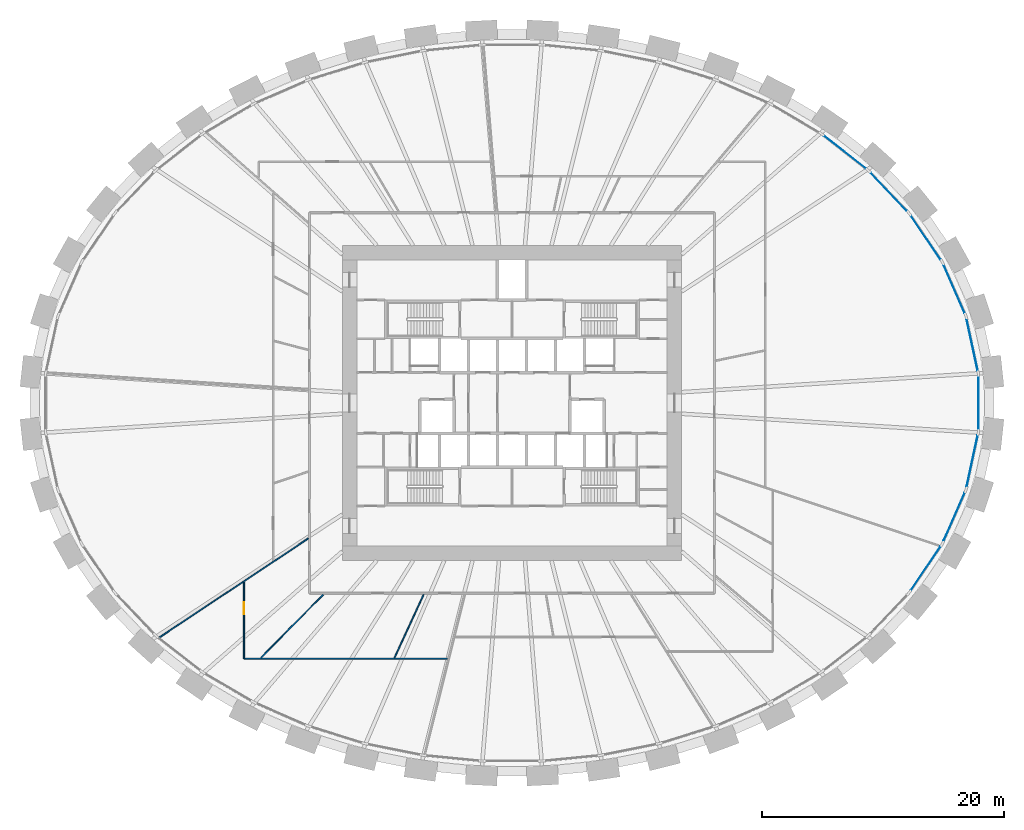
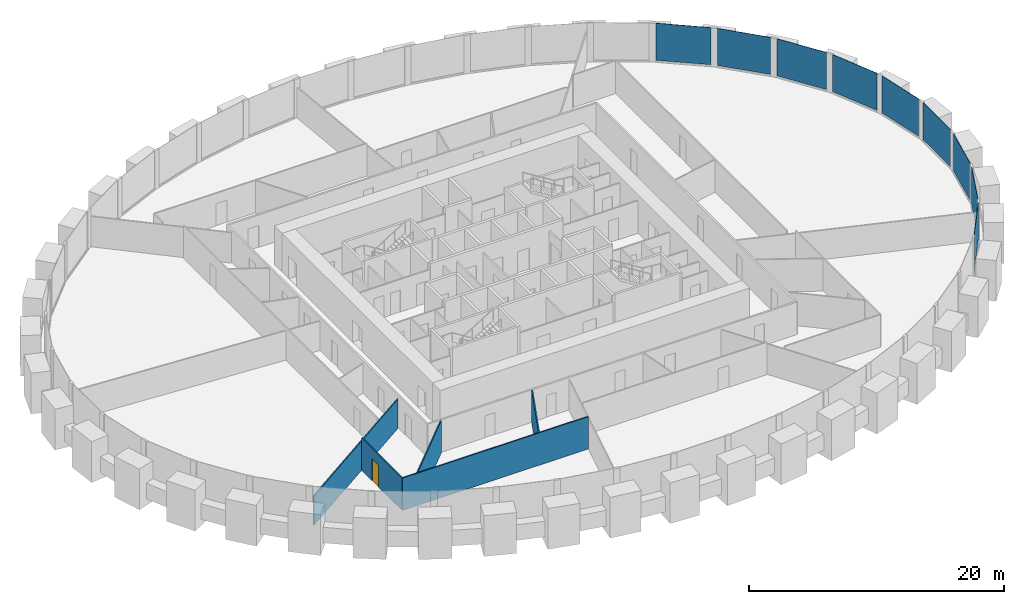
# One storey, part 5 of 11: 9 plates, 5 walls, 1 door, 1 opening, 1 element without a shape of its own.
"""IFC4 building model written with IfcOpenShell, lengths in metres."""

from ifc_helpers import new_model, si_unit, direction, frame, frame_2d, origin, origin_2d, place, context, subcontext, project, spatial, rectangle, extrude, source, transform, mapped, material, layer, layer_set, type_object, element, fill, aggregate, save


model = new_model("IFC4")

# Units and contexts
model_context = context("Model", 3, precision=1e-05, world=origin(), true_north=direction((0.0, 1.0)))
body_context = subcontext(model_context, "Body", "Model", "MODEL_VIEW")
ifc_project = project(units=[si_unit("LENGTHUNIT", "METRE"), si_unit("AREAUNIT", "SQUARE_METRE"), si_unit("VOLUMEUNIT", "CUBIC_METRE"), si_unit("PLANEANGLEUNIT", "RADIAN"), si_unit("MASSUNIT", "GRAM", prefix="KILO")], contexts=[model_context])

# Site, building, storey
site_placement = place(None, origin())
site = spatial("IfcSite", under=ifc_project, at=site_placement, CompositionType="ELEMENT")
building_placement = place(site_placement, origin())
building = spatial("IfcBuilding", under=site, at=building_placement, Name="Embergate Tower", CompositionType="ELEMENT")
storey_placement = place(building_placement, frame((0.0, 0.0, 41.89990234375)))
storey = spatial("IfcBuildingStorey", under=building, at=storey_placement, Name="L06", CompositionType="ELEMENT", Elevation=41.89990234375)

# Curtain wall, plates
ifc_material_1 = material(Name="Aluminium and glass", Category="aluminium")
curtain_wall_type = type_object("IfcCurtainWallType", Name="Recessed office glazing", PredefinedType="NOTDEFINED", material=ifc_material_1)
curtain_wall_placement = place(storey_placement, origin())
curtain_wall = element("IfcCurtainWall", 1, at=curtain_wall_placement, inside=storey, type_object=curtain_wall_type, Name="Recessed office glazing ring", ObjectType="RECESSED OFFICE GLAZING", PredefinedType="USERDEFINED")
ifc_material_2 = material(Name="Triple glazing, low-emissivity coating", Category="glass")
ifc_layer_1 = layer(ifc_material_2, 0.035888671875)
ifc_layer_set_1 = layer_set([ifc_layer_1], Name="Triple glazing, low-emissivity coating")
plate_type = type_object("IfcPlateType", Name="Office glazing unit", PredefinedType="CURTAIN_PANEL", material=ifc_layer_set_1)
shared_shape_1 = source(origin(), body_context, "Body", "SweptSolid", [
    extrude(rectangle(XDim=4.336181640625, YDim=0.035888671875, at=origin_2d()), origin(), (0.0, 0.0, 1.0), 3.550048828125),
])
plate_1_placement = place(storey_placement, frame((37.958984375, 4.800537109375, 0.14990234375), z_axis=(0.0, 0.0, 1.0), x_axis=(-0.210398391177, 0.97761573074, 0.0)))
plate_1 = element("IfcPlate", 2, at=plate_1_placement, type_object=plate_type, Name="CW panel 1.1", PredefinedType="CURTAIN_PANEL", context=body_context, shape_type="MappedRepresentation", body=[
    mapped(shared_shape_1, transform((0.0, 0.0, 0.0))),
])
plate_2_placement = place(storey_placement, frame((37.958984375, -4.800537109375, 0.14990234375), z_axis=(0.0, 0.0, 1.0), x_axis=(0.210398391177, 0.97761573074, 0.0)))
plate_2 = element("IfcPlate", 3, at=plate_2_placement, type_object=plate_type, Name="CW panel 43.1", PredefinedType="CURTAIN_PANEL", context=body_context, shape_type="MappedRepresentation", body=[
    mapped(shared_shape_1, transform((0.0, 0.0, 0.0))),
])
shared_shape_2 = source(origin(), body_context, "Body", "SweptSolid", [
    extrude(rectangle(XDim=4.34326171875, YDim=0.035888671875, at=origin_2d()), origin(), (0.0, 0.0, 1.0), 3.550048828125),
])
plate_3_placement = place(storey_placement, frame((36.471435546875, 9.401123046875, 0.14990234375), z_axis=(0.0, 0.0, 1.0), x_axis=(-0.401653699516, 0.915791627864, 0.0)))
plate_3 = element("IfcPlate", 4, at=plate_3_placement, type_object=plate_type, Name="CW panel 2.1", PredefinedType="CURTAIN_PANEL", context=body_context, shape_type="MappedRepresentation", body=[
    mapped(shared_shape_2, transform((0.0, 0.0, 0.0))),
])
plate_4_placement = place(storey_placement, frame((36.471435546875, -9.401123046875, 0.14990234375), z_axis=(0.0, 0.0, 1.0), x_axis=(0.401653699516, 0.915791627864, 0.0)))
plate_4 = element("IfcPlate", 5, at=plate_4_placement, type_object=plate_type, Name="CW panel 42.1", PredefinedType="CURTAIN_PANEL", context=body_context, shape_type="MappedRepresentation", body=[
    mapped(shared_shape_2, transform((0.0, 0.0, 0.0))),
])
shared_shape_3 = source(origin(), body_context, "Body", "SweptSolid", [
    extrude(rectangle(XDim=4.352294921875, YDim=0.035888671875, at=origin_2d()), origin(), (0.0, 0.0, 1.0), 3.550048828125),
])
plate_5_placement = place(storey_placement, frame((34.125, 13.642578125, 0.14990234375), z_axis=(0.0, 0.0, 1.0), x_axis=(-0.562344628355, 0.826902968286, 0.0)))
plate_5 = element("IfcPlate", 6, at=plate_5_placement, type_object=plate_type, Name="CW panel 3.1", PredefinedType="CURTAIN_PANEL", context=body_context, shape_type="MappedRepresentation", body=[
    mapped(shared_shape_3, transform((0.0, 0.0, 0.0))),
])
plate_6_placement = place(storey_placement, frame((34.125, -13.642578125, 0.14990234375), z_axis=(0.0, 0.0, 1.0), x_axis=(0.562344628355, 0.826902968286, 0.0)))
plate_6 = element("IfcPlate", 7, at=plate_6_placement, type_object=plate_type, Name="CW panel 41.1", PredefinedType="CURTAIN_PANEL", context=body_context, shape_type="MappedRepresentation", body=[
    mapped(shared_shape_3, transform((0.0, 0.0, 0.0))),
])
shared_shape_4 = source(origin(), body_context, "Body", "SweptSolid", [
    extrude(rectangle(XDim=4.36083984375, YDim=0.035888671875, at=origin_2d()), origin(), (0.0, 0.0, 1.0), 3.550048828125),
])
plate_7_placement = place(storey_placement, frame((31.07080078125, 17.423095703125, 0.14990234375), z_axis=(0.0, 0.0, 1.0), x_axis=(-0.690136310586, 0.723679399189, 0.0)))
plate_7 = element("IfcPlate", 8, at=plate_7_placement, type_object=plate_type, Name="CW panel 4.1", PredefinedType="CURTAIN_PANEL", context=body_context, shape_type="MappedRepresentation", body=[
    mapped(shared_shape_4, transform((0.0, 0.0, 0.0))),
])
shared_shape_5 = source(origin(), body_context, "Body", "SweptSolid", [
    extrude(rectangle(XDim=4.368408203125, YDim=0.035888671875, at=origin_2d()), origin(), (0.0, 0.0, 1.0), 3.550048828125),
])
plate_8_placement = place(storey_placement, frame((27.459716796875, 20.69287109375, 0.14990234375), z_axis=(0.0, 0.0, 1.0), x_axis=(-0.788322266931, 0.615262548398, 0.0)))
plate_8 = element("IfcPlate", 9, at=plate_8_placement, type_object=plate_type, Name="CW panel 5.1", PredefinedType="CURTAIN_PANEL", context=body_context, shape_type="MappedRepresentation", body=[
    mapped(shared_shape_5, transform((0.0, 0.0, 0.0))),
])
shared_shape_6 = source(origin(), body_context, "Body", "SweptSolid", [
    extrude(rectangle(XDim=4.33349609375, YDim=0.035888671875, at=origin_2d()), origin(), (0.0, 0.0, 1.0), 3.550048828125),
])
plate_9_placement = place(storey_placement, frame((38.469970703125, 0.0, 0.14990234375), z_axis=(0.0, 0.0, 1.0), x_axis=(0.0, 1.0, 0.0)))
plate_9 = element("IfcPlate", 10, at=plate_9_placement, type_object=plate_type, Name="CW panel 44.1", PredefinedType="CURTAIN_PANEL", context=body_context, shape_type="MappedRepresentation", body=[
    mapped(shared_shape_6, transform((0.0, 0.0, 0.0))),
])
aggregate(curtain_wall, [plate_1, plate_3, plate_5, plate_7, plate_8, plate_6, plate_4, plate_2, plate_9])

# Walls
ifc_material_3 = material(Name="Partition dry-lined 100")
ifc_layer_2 = layer(ifc_material_3, 0.10009765625)
ifc_layer_set_2 = layer_set([ifc_layer_2], Name="Partition dry-lined 100")
wall_type = type_object("IfcWallType", Name="Partition dry-lined 100", PredefinedType="PARTITIONING", material=ifc_layer_set_2)
shared_shape_7 = source(origin(), body_context, "Body", "SweptSolid", [
    extrude(rectangle(XDim=7.306640625, YDim=0.10009765625, at=frame_2d((3.6533203125, 0.0))), origin(), (0.0, 0.0, 1.0), 3.10009765625),
])
wall_1_placement = place(storey_placement, frame((-15.575927734375, -15.81005859375, 0.0), z_axis=(0.0, 0.0, 1.0), x_axis=(-0.701841470571, -0.712333173583, 0.0)))
element("IfcWall", 11, at=wall_1_placement, inside=storey, type_object=wall_type, Name="IP-1 wall", PredefinedType="PARTITIONING", context=body_context, shape_type="MappedRepresentation", body=[
    mapped(shared_shape_7, transform((0.0, 0.0, 0.0))),
])
shared_shape_8 = source(origin(), body_context, "Body", "SweptSolid", [
    extrude(rectangle(XDim=16.796142578125, YDim=0.10009765625, at=frame_2d((8.39794921875, 0.0))), origin(), (0.0, 0.0, 1.0), 3.10009765625),
])
wall_2_placement = place(storey_placement, frame((-5.303955078125, -21.10009765625, 0.0), z_axis=(0.0, 0.0, 1.0), x_axis=(-1.0, 0.0, 0.0)))
element("IfcWall", 12, at=wall_2_placement, inside=storey, type_object=wall_type, Name="IP-1 wall", PredefinedType="PARTITIONING", context=body_context, shape_type="MappedRepresentation", body=[
    mapped(shared_shape_8, transform((0.0, 0.0, 0.0))),
])
shared_shape_9 = source(origin(), body_context, "Body", "SweptSolid", [
    extrude(rectangle(XDim=5.762939453125, YDim=0.10009765625, at=frame_2d((2.88134765625, 0.0))), origin(), (0.0, 0.0, 1.0), 3.10009765625),
])
wall_3_placement = place(storey_placement, frame((-7.287109375, -15.7958984375, 0.0), z_axis=(0.0, 0.0, 1.0), x_axis=(-0.418845936219, -0.90805731191, 0.0)))
element("IfcWall", 13, at=wall_3_placement, inside=storey, type_object=wall_type, Name="IP-1 wall", PredefinedType="PARTITIONING", context=body_context, shape_type="MappedRepresentation", body=[
    mapped(shared_shape_9, transform((0.0, 0.0, 0.0))),
])

# Wall, opening, door
shared_shape_10 = source(origin(), body_context, "Body", "SweptSolid", [
    extrude(rectangle(XDim=6.30908203125, YDim=0.10009765625, at=frame_2d((3.154541015625, 0.0))), origin(), (0.0, 0.0, 1.0), 3.10009765625),
])
wall_4_placement = place(storey_placement, frame((-22.10009765625, -21.10009765625, 0.0), z_axis=(0.0, 0.0, 1.0), x_axis=(0.0, 1.0, 0.0)))
wall_4 = element("IfcWall", 14, at=wall_4_placement, inside=storey, type_object=wall_type, Name="IP-1 wall", PredefinedType="PARTITIONING", context=body_context, shape_type="MappedRepresentation", body=[
    mapped(shared_shape_10, transform((0.0, 0.0, 0.0))),
])
shared_shape_11 = source(origin(), body_context, "Body", "SweptSolid", [
    extrude(rectangle(XDim=1.0, YDim=2.10009765625, at=frame_2d((0.5, 1.050048828125))), frame((0.0, 0.06005859375, 0.0), z_axis=(0.0, -1.0, 0.0), x_axis=(1.0, 0.0, 0.0)), (0.0, 0.0, 1.0), 0.1201171875),
])
opening_placement = place(wall_4_placement, frame((3.662109375, 0.0, 0.0)))
opening = element("IfcOpeningElement", 15, at=opening_placement, cuts=wall_4, Name="Opening ID-2", PredefinedType="OPENING", context=body_context, shape_type="MappedRepresentation", body=[
    mapped(shared_shape_11, transform((0.0, 0.0, 0.0))),
])
ifc_material_4 = material(Name="Interior door 1000")
door_type = type_object("IfcDoorType", Name="Interior door 1000", OperationType="SINGLE_SWING_LEFT", PredefinedType="DOOR", material=ifc_material_4)
shared_shape_12 = source(origin(), body_context, "Body", "SweptSolid", [
    extrude(rectangle(XDim=1.0, YDim=2.10009765625, at=frame_2d((0.5, 1.050048828125))), frame((0.0, 0.02490234375, 0.0), z_axis=(0.0, -1.0, 0.0), x_axis=(1.0, 0.0, 0.0)), (0.0, 0.0, 1.0), 0.050048828125),
])
door_placement = place(opening_placement, origin())
door = element("IfcDoor", 16, at=door_placement, inside=storey, type_object=door_type, Name="ID-2 door", OperationType="SINGLE_SWING_RIGHT", OverallHeight=2.10009765625, OverallWidth=1.0, PredefinedType="DOOR", context=body_context, shape_type="MappedRepresentation", body=[
    mapped(shared_shape_12, transform((0.0, 0.0, 0.0))),
])
fill(opening, door)

# Wall
shared_shape_13 = source(origin(), body_context, "Body", "SweptSolid", [
    extrude(rectangle(XDim=14.822998046875, YDim=0.10009765625, at=frame_2d((7.41162109375, 0.0))), origin(), (0.0, 0.0, 1.0), 2.800048828125),
])
wall_5_placement = place(storey_placement, frame((-16.802978515625, -11.175048828125, 0.0), z_axis=(0.0, 0.0, 1.0), x_axis=(-0.832693346295, -0.553734404779, 0.0)))
element("IfcWall", 17, at=wall_5_placement, inside=storey, type_object=wall_type, Name="IP-1 wall", PredefinedType="PARTITIONING", context=body_context, shape_type="MappedRepresentation", body=[
    mapped(shared_shape_13, transform((0.0, 0.0, 0.0))),
])

save(model, "model.ifc")
